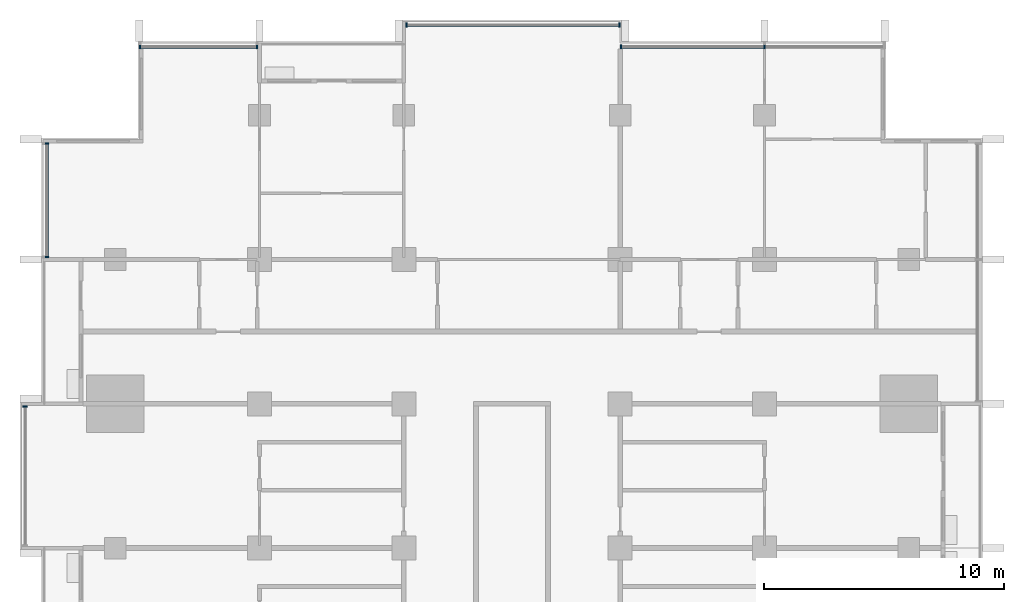
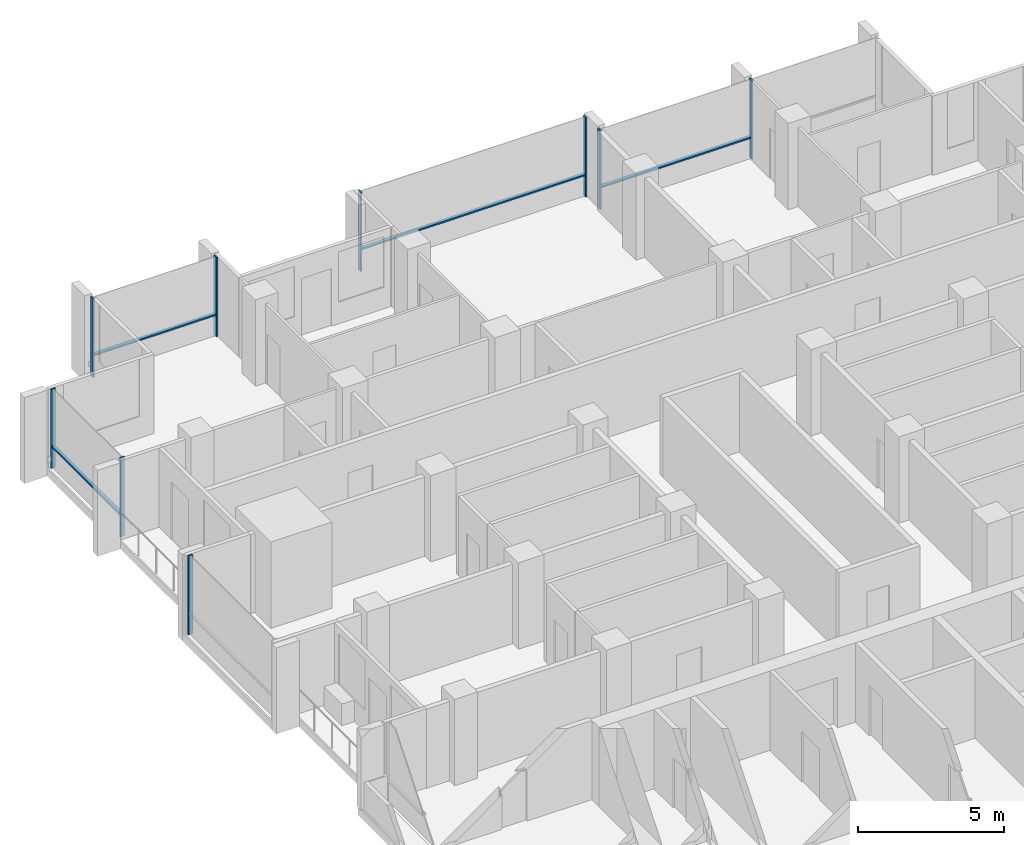
# One storey, part 4 of 17: 13 members, 5 elements without a shape of their own.
"""IFC4 building model written with IfcOpenShell, lengths in metres."""

from ifc_helpers import new_model, si_unit, direction, frame, origin, origin_2d, place, context, subcontext, project, spatial, rectangle, extrude, material, material_profile, profile_set, type_object, element, aggregate, save


model = new_model("IFC4")

# Units and contexts
model_context = context("Model", 3, precision=1e-05, world=origin(), true_north=direction((0.0, 1.0)))
body_context = subcontext(model_context, "Body", "Model", "MODEL_VIEW")
ifc_project = project(units=[si_unit("LENGTHUNIT", "METRE"), si_unit("AREAUNIT", "SQUARE_METRE"), si_unit("VOLUMEUNIT", "CUBIC_METRE"), si_unit("PLANEANGLEUNIT", "RADIAN"), si_unit("MASSUNIT", "GRAM", prefix="KILO")], contexts=[model_context])

# Site, building, storey
site_placement = place(None, origin())
site = spatial("IfcSite", under=ifc_project, at=site_placement, CompositionType="ELEMENT")
building_placement = place(site_placement, origin())
building = spatial("IfcBuilding", under=site, at=building_placement, Name="Finial Court Residences", CompositionType="ELEMENT")
storey_placement = place(building_placement, frame((0.0, 0.0, 167.300048828125)))
storey = spatial("IfcBuildingStorey", under=building, at=storey_placement, Name="L41", CompositionType="ELEMENT", Elevation=167.300048828125)

# Curtain wall, members
ifc_material = material(Name="Bronze anodised aluminium", Category="aluminium")
curtain_wall_type = type_object("IfcCurtainWallType", Name="Unitised curtain wall, upper zones", PredefinedType="NOTDEFINED", material=ifc_material)
curtain_wall_1_placement = place(storey_placement, origin())
curtain_wall_1 = element("IfcCurtainWall", 1, at=curtain_wall_1_placement, inside=storey, type_object=curtain_wall_type, Name="E-L41-CW-N1", PredefinedType="NOTDEFINED")
ifc_material_profile_1 = material_profile(ifc_material, rectangle(XDim=0.175048828125, YDim=0.06005859375, at=origin_2d()), Name="CW2 mullion 60 x 175")
ifc_profile_set_1 = profile_set([ifc_material_profile_1], Name="Bronze anodised aluminium")
member_type_1 = type_object("IfcMemberType", Name="CW2 mullion 60 x 175", PredefinedType="MULLION", material=ifc_profile_set_1)
member_1_placement = place(storey_placement, frame((-15.469970703125, 22.35009765625, 0.0), z_axis=(0.0, 0.0, 1.0), x_axis=(0.0, 1.0, 0.0)))
member_1 = element("IfcMember", 2, at=member_1_placement, type_object=member_type_1, Name="CW2 mullion 1", PredefinedType="MULLION", context=body_context, shape_type="SweptSolid", body=[
    extrude(rectangle(XDim=0.175048828125, YDim=0.06005859375, at=origin_2d()), origin(), (0.0, 0.0, 1.0), 3.300048828125),
])
member_2_placement = place(storey_placement, frame((-10.60498046875, 22.35009765625, 0.0), z_axis=(0.0, 0.0, 1.0), x_axis=(0.0, 1.0, 0.0)))
member_2 = element("IfcMember", 3, at=member_2_placement, type_object=member_type_1, Name="CW2 mullion 2", PredefinedType="MULLION", context=body_context, shape_type="SweptSolid", body=[
    extrude(rectangle(XDim=0.175048828125, YDim=0.06005859375, at=origin_2d()), origin(), (0.0, 0.0, 1.0), 3.300048828125),
])

curtain_wall_2_placement = place(storey_placement, origin())
curtain_wall_2 = element("IfcCurtainWall", 4, at=curtain_wall_2_placement, inside=storey, type_object=curtain_wall_type, Name="E-L41-CW-N2", PredefinedType="NOTDEFINED")
member_3_placement = place(storey_placement, frame((-4.39501953125, 23.25, 0.0), z_axis=(0.0, 0.0, 1.0), x_axis=(0.0, 1.0, 0.0)))
member_3 = element("IfcMember", 5, at=member_3_placement, type_object=member_type_1, Name="CW2 mullion 1", PredefinedType="MULLION", context=body_context, shape_type="SweptSolid", body=[
    extrude(rectangle(XDim=0.175048828125, YDim=0.06005859375, at=origin_2d()), origin(), (0.0, 0.0, 1.0), 3.300048828125),
])
member_4_placement = place(storey_placement, frame((4.469970703125, 23.25, 0.0), z_axis=(0.0, 0.0, 1.0), x_axis=(0.0, 1.0, 0.0)))
member_4 = element("IfcMember", 6, at=member_4_placement, type_object=member_type_1, Name="CW2 mullion 2", PredefinedType="MULLION", context=body_context, shape_type="SweptSolid", body=[
    extrude(rectangle(XDim=0.175048828125, YDim=0.06005859375, at=origin_2d()), origin(), (0.0, 0.0, 1.0), 3.300048828125),
])

curtain_wall_3_placement = place(storey_placement, origin())
curtain_wall_3 = element("IfcCurtainWall", 7, at=curtain_wall_3_placement, inside=storey, type_object=curtain_wall_type, Name="E-L41-CW-N3", PredefinedType="NOTDEFINED")
member_5_placement = place(storey_placement, frame((4.530029296875, 22.35009765625, 0.0), z_axis=(0.0, 0.0, 1.0), x_axis=(0.0, 1.0, 0.0)))
member_5 = element("IfcMember", 8, at=member_5_placement, type_object=member_type_1, Name="CW2 mullion 1", PredefinedType="MULLION", context=body_context, shape_type="SweptSolid", body=[
    extrude(rectangle(XDim=0.175048828125, YDim=0.06005859375, at=origin_2d()), origin(), (0.0, 0.0, 1.0), 3.300048828125),
])
member_6_placement = place(storey_placement, frame((10.5, 22.35009765625, 0.0), z_axis=(0.0, 0.0, 1.0), x_axis=(0.0, 1.0, 0.0)))
member_6 = element("IfcMember", 9, at=member_6_placement, type_object=member_type_1, Name="CW2 mullion 2", PredefinedType="MULLION", context=body_context, shape_type="SweptSolid", body=[
    extrude(rectangle(XDim=0.175048828125, YDim=0.06005859375, at=origin_2d()), origin(), (0.0, 0.0, 1.0), 3.300048828125),
])

# Curtain wall, member
curtain_wall_4_placement = place(storey_placement, origin())
curtain_wall_4 = element("IfcCurtainWall", 10, at=curtain_wall_4_placement, inside=storey, type_object=curtain_wall_type, Name="E-L41-CW-W10", PredefinedType="NOTDEFINED")
member_7_placement = place(storey_placement, frame((-20.25, 7.39501953125, 0.0), z_axis=(0.0, 0.0, 1.0), x_axis=(-1.0, 0.0, 0.0)))
member_7 = element("IfcMember", 11, at=member_7_placement, type_object=member_type_1, Name="CW2 mullion 2", PredefinedType="MULLION", context=body_context, shape_type="SweptSolid", body=[
    extrude(rectangle(XDim=0.175048828125, YDim=0.06005859375, at=origin_2d()), origin(), (0.0, 0.0, 1.0), 3.300048828125),
])
aggregate(curtain_wall_4, [member_7])

# Curtain wall, members
curtain_wall_5_placement = place(storey_placement, origin())
curtain_wall_5 = element("IfcCurtainWall", 12, at=curtain_wall_5_placement, inside=storey, type_object=curtain_wall_type, Name="E-L41-CW-W11", PredefinedType="NOTDEFINED")
member_8_placement = place(storey_placement, frame((-19.35009765625, 13.60498046875, 0.0), z_axis=(0.0, 0.0, 1.0), x_axis=(-1.0, 0.0, 0.0)))
member_8 = element("IfcMember", 13, at=member_8_placement, type_object=member_type_1, Name="CW2 mullion 1", PredefinedType="MULLION", context=body_context, shape_type="SweptSolid", body=[
    extrude(rectangle(XDim=0.175048828125, YDim=0.06005859375, at=origin_2d()), origin(), (0.0, 0.0, 1.0), 3.300048828125),
])
member_9_placement = place(storey_placement, frame((-19.35009765625, 18.320068359375, 0.0), z_axis=(0.0, 0.0, 1.0), x_axis=(-1.0, 0.0, 0.0)))
member_9 = element("IfcMember", 14, at=member_9_placement, type_object=member_type_1, Name="CW2 mullion 2", PredefinedType="MULLION", context=body_context, shape_type="SweptSolid", body=[
    extrude(rectangle(XDim=0.175048828125, YDim=0.06005859375, at=origin_2d()), origin(), (0.0, 0.0, 1.0), 3.300048828125),
])

# Member
ifc_material_profile_2 = material_profile(ifc_material, rectangle(XDim=0.139892578125, YDim=0.06005859375, at=origin_2d()), Name="CW2 transom 60 x 140")
ifc_profile_set_2 = profile_set([ifc_material_profile_2], Name="Bronze anodised aluminium")
member_type_2 = type_object("IfcMemberType", Name="CW2 transom 60 x 140", PredefinedType="USERDEFINED", material=ifc_profile_set_2)
member_10_placement = place(storey_placement, frame((-15.43994140625, 22.35009765625, 0.89990234375), z_axis=(1.0, 0.0, 0.0), x_axis=(0.0, 1.0, 0.0)))
member_10 = element("IfcMember", 15, at=member_10_placement, type_object=member_type_2, Name="CW2 transom 1.1", ObjectType="TRANSOM", PredefinedType="USERDEFINED", context=body_context, shape_type="SweptSolid", body=[
    extrude(rectangle(XDim=0.139892578125, YDim=0.06005859375, at=origin_2d()), origin(), (0.0, 0.0, 1.0), 4.804931640625),
])

aggregate(curtain_wall_1, [member_1, member_2, member_10])

member_11_placement = place(storey_placement, frame((-4.364990234375, 23.25, 0.89990234375), z_axis=(1.0, 0.0, 0.0), x_axis=(0.0, 1.0, 0.0)))
member_11 = element("IfcMember", 16, at=member_11_placement, type_object=member_type_2, Name="CW2 transom 1.1", ObjectType="TRANSOM", PredefinedType="USERDEFINED", context=body_context, shape_type="SweptSolid", body=[
    extrude(rectangle(XDim=0.139892578125, YDim=0.06005859375, at=origin_2d()), origin(), (0.0, 0.0, 1.0), 8.804931640625),
])

aggregate(curtain_wall_2, [member_3, member_4, member_11])

member_12_placement = place(storey_placement, frame((4.56005859375, 22.35009765625, 0.89990234375), z_axis=(1.0, 0.0, 0.0), x_axis=(0.0, 1.0, 0.0)))
member_12 = element("IfcMember", 17, at=member_12_placement, type_object=member_type_2, Name="CW2 transom 1.1", ObjectType="TRANSOM", PredefinedType="USERDEFINED", context=body_context, shape_type="SweptSolid", body=[
    extrude(rectangle(XDim=0.139892578125, YDim=0.06005859375, at=origin_2d()), origin(), (0.0, 0.0, 1.0), 5.909912109375),
])

aggregate(curtain_wall_3, [member_5, member_6, member_12])

member_13_placement = place(storey_placement, frame((-19.35009765625, 13.635009765625, 0.89990234375), z_axis=(0.0, 1.0, 0.0), x_axis=(-1.0, 0.0, 0.0)))
member_13 = element("IfcMember", 18, at=member_13_placement, type_object=member_type_2, Name="CW2 transom 1.1", ObjectType="TRANSOM", PredefinedType="USERDEFINED", context=body_context, shape_type="SweptSolid", body=[
    extrude(rectangle(XDim=0.139892578125, YDim=0.06005859375, at=origin_2d()), origin(), (0.0, 0.0, 1.0), 4.655029296875),
])

aggregate(curtain_wall_5, [member_8, member_9, member_13])

save(model, "model.ifc")
